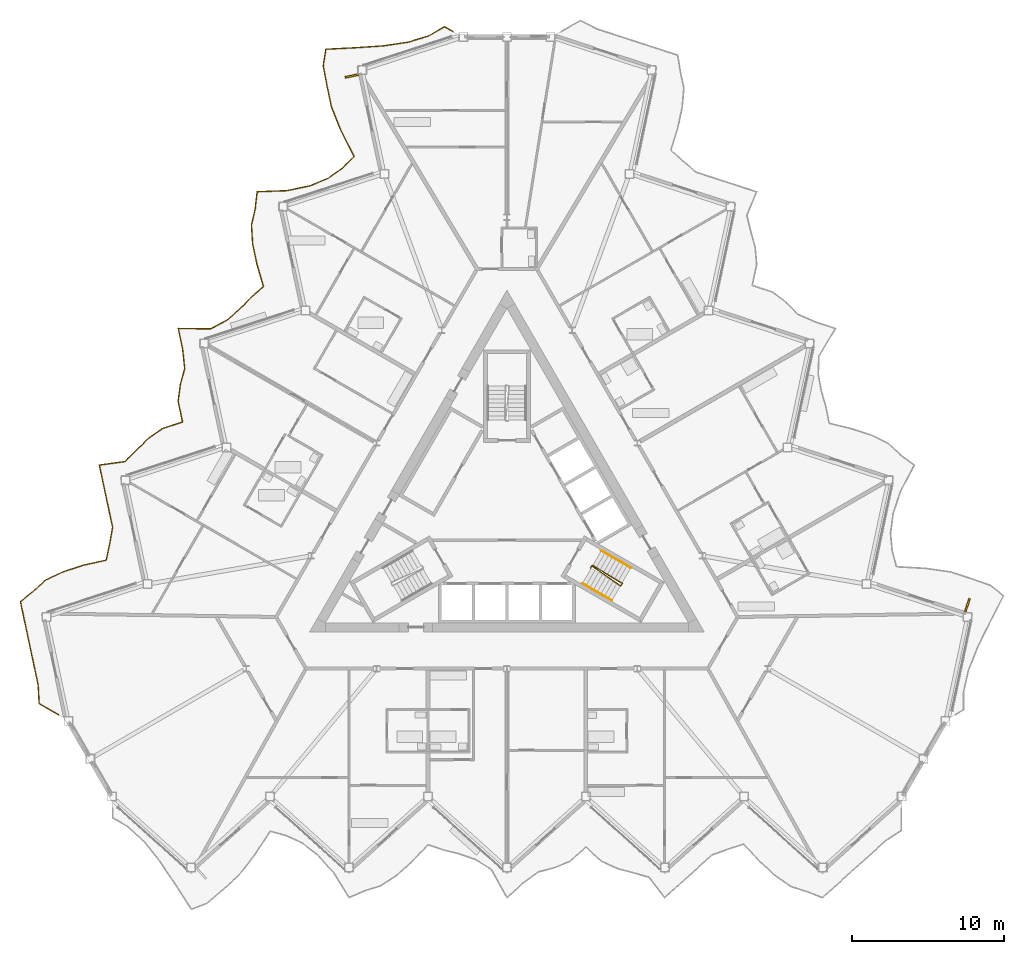
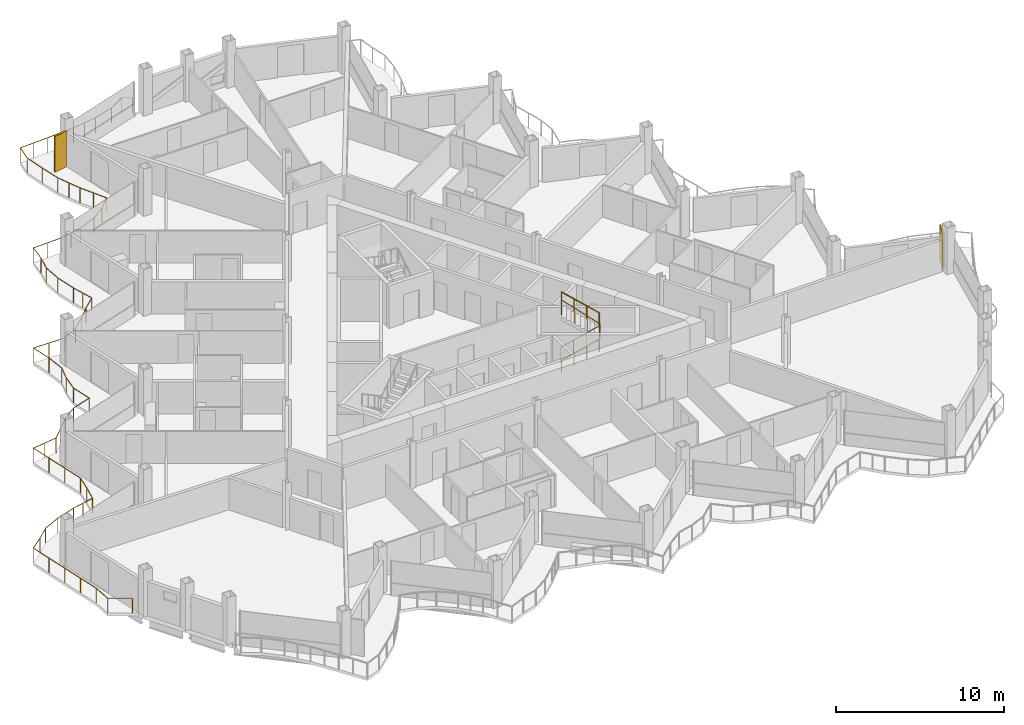
# One storey, part 23 of 26: 4 railings, 2 shading devices.
"""IFC4 building model written with IfcOpenShell, lengths in metres."""

from ifc_helpers import new_model, si_unit, direction, frame, origin, origin_2d, place, context, subcontext, project, spatial, rectangle, circle, extrude, material, layer, layer_set, type_object, element, save


model = new_model("IFC4")

# Units and contexts
model_context = context("Model", 3, precision=1e-05, world=origin(), true_north=direction((0.0, 1.0)))
body_context = subcontext(model_context, "Body", "Model", "MODEL_VIEW")
ifc_project = project(units=[si_unit("LENGTHUNIT", "METRE"), si_unit("AREAUNIT", "SQUARE_METRE"), si_unit("VOLUMEUNIT", "CUBIC_METRE"), si_unit("PLANEANGLEUNIT", "RADIAN"), si_unit("MASSUNIT", "GRAM", prefix="KILO")], contexts=[model_context])

# Site, building, storey
site_placement = place(None, origin())
site = spatial("IfcSite", under=ifc_project, at=site_placement, CompositionType="ELEMENT")
building_placement = place(site_placement, origin())
building = spatial("IfcBuilding", under=site, at=building_placement, Name="Cormorant Prow Tower", CompositionType="ELEMENT")
storey_placement = place(building_placement, frame((0.0, 0.0, 325.60009765625)))
storey = spatial("IfcBuildingStorey", under=building, at=storey_placement, Name="L72", CompositionType="ELEMENT", Elevation=325.60009765625)

# Railings
ifc_material_1 = material(Name="Aluminium 6063-T6", Category="aluminium")
railing_type_1 = type_object("IfcRailingType", Name="Balcony guard 1100", PredefinedType="GUARDRAIL", material=ifc_material_1)
railing_1_placement = place(storey_placement, frame((-3.552734375, 32.042724609375, 0.0)))
element("IfcRailing", 1, at=railing_1_placement, inside=storey, type_object=railing_type_1, Name="Balcony guard WNW", PredefinedType="GUARDRAIL", context=body_context, shape_type="SweptSolid", body=[
    extrude(circle(Radius=0.02392578125, at=origin_2d()), frame((0.0, 0.0, 1.076171875), z_axis=(-0.865942655036, 0.500143297656, 0.0), x_axis=(-0.500143297656, -0.865942655036, 0.0)), (0.0, 0.0, 1.0), 0.635986328125),
    extrude(circle(Radius=0.02392578125, at=origin_2d()), frame((-0.55078125, 0.318115234375, 1.076171875), z_axis=(-0.867592362836, -0.497276072166, 0.0), x_axis=(0.497276072166, -0.867592362836, 0.0)), (0.0, 0.0, 1.0), 1.201904296875),
    extrude(circle(Radius=0.02392578125, at=origin_2d()), frame((-1.593505859375, -0.279541015625, 1.076171875), z_axis=(-0.955146594273, -0.296133387932, 0.0), x_axis=(0.296133387932, -0.955146594273, 0.0)), (0.0, 0.0, 1.0), 1.41552734375),
    extrude(circle(Radius=0.02392578125, at=origin_2d()), frame((-2.945556640625, -0.69873046875, 1.076171875), z_axis=(-0.989266853601, -0.146120129918, 0.0), x_axis=(0.146120129918, -0.989266853601, 0.0)), (0.0, 0.0, 1.0), 1.672607421875),
    extrude(circle(Radius=0.02392578125, at=origin_2d()), frame((-4.60009765625, -0.943115234375, 1.076171875), z_axis=(-0.997771824229, -0.066718713827, 0.0), x_axis=(0.066718713827, -0.997771824229, 0.0)), (0.0, 0.0, 1.0), 1.8662109375),
    extrude(circle(Radius=0.02392578125, at=origin_2d()), frame((-6.462158203125, -1.067626953125, 1.076171875), z_axis=(-0.998756785934, -0.049848596285, 0.0), x_axis=(0.049848596285, -0.998756785934, 0.0)), (0.0, 0.0, 1.0), 1.9150390625),
    extrude(circle(Radius=0.02392578125, at=origin_2d()), frame((-8.374755859375, -1.1630859375, 1.076171875), z_axis=(-0.154330068831, -0.988019346903, 0.0), x_axis=(0.988019346903, -0.154330068831, 0.0)), (0.0, 0.0, 1.0), 1.11376953125),
    extrude(circle(Radius=0.02392578125, at=origin_2d()), frame((-8.546630859375, -2.263427734375, 1.076171875), z_axis=(0.185482522834, -0.982647563332, 0.0), x_axis=(0.982647563332, 0.185482522834, 0.0)), (0.0, 0.0, 1.0), 1.3701171875),
    extrude(circle(Radius=0.02392578125, at=origin_2d()), frame((-8.29248046875, -3.60986328125, 1.076171875), z_axis=(0.207954815096, -0.978138433392, 0.0), x_axis=(0.978138433392, 0.207954815096, 0.0)), (0.0, 0.0, 1.0), 1.398193359375),
    extrude(circle(Radius=0.02392578125, at=origin_2d()), frame((-8.001708984375, -4.9775390625, 1.076171875), z_axis=(0.372940159502, -0.927855396832, 0.0), x_axis=(0.927855396832, 0.372940159502, 0.0)), (0.0, 0.0, 1.0), 1.683837890625),
    extrude(circle(Radius=0.02392578125, at=origin_2d()), frame((-7.373779296875, -6.539794921875, 1.076171875), z_axis=(0.450609247679, -0.892721292401, 0.0), x_axis=(0.892721292401, 0.450609247679, 0.0)), (0.0, 0.0, 1.0), 1.896240234375),
    extrude(circle(Radius=0.02392578125, at=origin_2d()), frame((-6.519287109375, -8.232666015625, 1.076171875), z_axis=(-0.709370954511, -0.704835334597, 0.0), x_axis=(0.704835334597, -0.709370954511, 0.0)), (0.0, 0.0, 1.0), 1.07666015625),
    extrude(circle(Radius=0.02392578125, at=origin_2d()), frame((-7.282958984375, -8.991455078125, 1.076171875), z_axis=(-0.812908325419, -0.582391667579, 0.0), x_axis=(0.582391667579, -0.812908325419, 0.0)), (0.0, 0.0, 1.0), 1.140625),
    extrude(circle(Radius=0.02392578125, at=origin_2d()), frame((-8.210205078125, -9.65576171875, 1.076171875), z_axis=(-0.923841835791, -0.382774427624, 0.0), x_axis=(0.382774427624, -0.923841835791, 0.0)), (0.0, 0.0, 1.0), 1.309326171875),
    extrude(circle(Radius=0.02392578125, at=origin_2d()), frame((-9.419921875, -10.156982421875, 1.076171875), z_axis=(-0.978977815061, -0.20396675616, 0.0), x_axis=(0.20396675616, -0.978977815061, 0.0)), (0.0, 0.0, 1.0), 1.5595703125),
    extrude(circle(Radius=0.02392578125, at=origin_2d()), frame((-10.94677734375, -10.47509765625, 1.076171875), z_axis=(-0.999311062654, -0.037113340704, 0.0), x_axis=(0.037113340704, -0.999311062654, 0.0)), (0.0, 0.0, 1.0), 1.953857421875),
    extrude(circle(Radius=0.02392578125, at=origin_2d()), frame((-12.899169921875, -10.547607421875, 1.076171875), z_axis=(-0.110644159424, -0.993860085719, 0.0), x_axis=(0.993860085719, -0.110644159424, 0.0)), (0.0, 0.0, 1.0), 1.13427734375),
    extrude(circle(Radius=0.02392578125, at=origin_2d()), frame((-13.024658203125, -11.6748046875, 1.076171875), z_axis=(-0.225893573329, -0.974151986873, 0.0), x_axis=(0.974151986873, -0.225893573329, 0.0)), (0.0, 0.0, 1.0), 1.086181640625),
    extrude(circle(Radius=0.02392578125, at=origin_2d()), frame((-13.27001953125, -12.73291015625, 1.076171875), z_axis=(0.059262671878, -0.998242423323, 0.0), x_axis=(0.998242423323, 0.059262671878, 0.0)), (0.0, 0.0, 1.0), 1.244140625),
    extrude(circle(Radius=0.02392578125, at=origin_2d()), frame((-13.1962890625, -13.974853515625, 1.076171875), z_axis=(0.20778775162, -0.978173936617, 0.0), x_axis=(0.978173936617, 0.20778775162, 0.0)), (0.0, 0.0, 1.0), 1.398193359375),
    extrude(circle(Radius=0.02392578125, at=origin_2d()), frame((-12.90576171875, -15.342529296875, 1.076171875), z_axis=(0.281102933169, -0.959677623457, 0.0), x_axis=(0.959677623457, 0.281102933169, 0.0)), (0.0, 0.0, 1.0), 1.504150390625),
    extrude(circle(Radius=0.02392578125, at=origin_2d()), frame((-12.48291015625, -16.7861328125, 1.076171875), z_axis=(-0.750032788216, -0.661400647566, 0.0), x_axis=(0.661400647566, -0.750032788216, 0.0)), (0.0, 0.0, 1.0), 1.09619140625),
    extrude(circle(Radius=0.02392578125, at=origin_2d()), frame((-13.30517578125, -17.51123046875, 1.076171875), z_axis=(-0.693869586503, -0.72010068527, 0.0), x_axis=(0.72010068527, -0.693869586503, 0.0)), (0.0, 0.0, 1.0), 1.0703125),
    extrude(circle(Radius=0.02392578125, at=origin_2d()), frame((-14.0478515625, -18.281982421875, 1.076171875), z_axis=(-0.759115778232, -0.650955632312, 0.0), x_axis=(0.650955632312, -0.759115778232, 0.0)), (0.0, 0.0, 1.0), 1.1015625),
    extrude(circle(Radius=0.02392578125, at=origin_2d()), frame((-14.884033203125, -18.9990234375, 1.076171875), z_axis=(-0.880156171163, -0.474684225948, 0.0), x_axis=(0.474684225948, -0.880156171163, 0.0)), (0.0, 0.0, 1.0), 1.220458984375),
    extrude(circle(Radius=0.02392578125, at=origin_2d()), frame((-15.958251953125, -19.578369140625, 1.076171875), z_axis=(-0.999877393438, 0.015658802344, 0.0), x_axis=(-0.015658802344, -0.999877393438, 0.0)), (0.0, 0.0, 1.0), 2.135986328125),
    extrude(circle(Radius=0.02392578125, at=origin_2d()), frame((-18.093994140625, -19.544921875, 1.076171875), z_axis=(0.207990337228, -0.978130880619, 0.0), x_axis=(0.978130880619, 0.207990337228, 0.0)), (0.0, 0.0, 1.0), 1.39794921875),
    extrude(circle(Radius=0.02392578125, at=origin_2d()), frame((-17.80322265625, -20.912353515625, 1.076171875), z_axis=(0.107350103954, -0.994221280793, 0.0), x_axis=(0.994221280793, 0.107350103954, 0.0)), (0.0, 0.0, 1.0), 1.287109375),
    extrude(circle(Radius=0.02392578125, at=origin_2d()), frame((-17.6650390625, -22.192138671875, 1.076171875), z_axis=(-0.267620389607, -0.963524429927, 0.0), x_axis=(0.963524429927, -0.267620389607, 0.0)), (0.0, 0.0, 1.0), 1.07275390625),
    extrude(circle(Radius=0.02392578125, at=origin_2d()), frame((-17.9521484375, -23.225830078125, 1.076171875), z_axis=(-0.132078343747, -0.991239280453, 0.0), x_axis=(0.991239280453, -0.132078343747, 0.0)), (0.0, 0.0, 1.0), 1.123779296875),
    extrude(circle(Radius=0.02392578125, at=origin_2d()), frame((-18.1005859375, -24.33984375, 1.076171875), z_axis=(0.207954815096, -0.978138433392, 0.0), x_axis=(0.978138433392, 0.207954815096, 0.0)), (0.0, 0.0, 1.0), 1.398193359375),
    extrude(circle(Radius=0.02392578125, at=origin_2d()), frame((-17.809814453125, -25.70751953125, 1.076171875), z_axis=(-0.95108282544, -0.308936011422, 0.0), x_axis=(0.308936011422, -0.95108282544, 0.0)), (0.0, 0.0, 1.0), 1.39794921875),
    extrude(circle(Radius=0.02392578125, at=origin_2d()), frame((-19.139404296875, -26.139404296875, 1.076171875), z_axis=(-0.817192442339, -0.576364912347, 0.0), x_axis=(0.576364912347, -0.817192442339, 0.0)), (0.0, 0.0, 1.0), 1.14453125),
    extrude(circle(Radius=0.02392578125, at=origin_2d()), frame((-20.07470703125, -26.799072265625, 1.076171875), z_axis=(-0.704602966068, -0.7096017617, 0.0), x_axis=(0.7096017617, -0.704602966068, 0.0)), (0.0, 0.0, 1.0), 1.074462890625),
    extrude(circle(Radius=0.02392578125, at=origin_2d()), frame((-20.831787109375, -27.5615234375, 1.076171875), z_axis=(-0.716762582334, -0.697317288302, 0.0), x_axis=(0.697317288302, -0.716762582334, 0.0)), (0.0, 0.0, 1.0), 1.079833984375),
    extrude(circle(Radius=0.02392578125, at=origin_2d()), frame((-21.605712890625, -28.314453125, 1.076171875), z_axis=(-0.990944412172, -0.134272752208, 0.0), x_axis=(0.134272752208, -0.990944412172, 0.0)), (0.0, 0.0, 1.0), 1.6982421875),
    extrude(circle(Radius=0.02392578125, at=origin_2d()), frame((-23.28857421875, -28.54248046875, 1.076171875), z_axis=(0.207823247792, -0.9781663957, 0.0), x_axis=(0.9781663957, 0.207823247792, 0.0)), (0.0, 0.0, 1.0), 1.39794921875),
    extrude(circle(Radius=0.02392578125, at=origin_2d()), frame((-22.998046875, -29.909912109375, 1.076171875), z_axis=(0.207990337228, -0.978130880619, 0.0), x_axis=(0.978130880619, 0.207990337228, 0.0)), (0.0, 0.0, 1.0), 1.39794921875),
    extrude(circle(Radius=0.02392578125, at=origin_2d()), frame((-22.707275390625, -31.27734375, 1.076171875), z_axis=(0.20778775162, -0.978173936617, 0.0), x_axis=(0.978173936617, 0.20778775162, 0.0)), (0.0, 0.0, 1.0), 1.398193359375),
    extrude(circle(Radius=0.02392578125, at=origin_2d()), frame((-22.416748046875, -32.64501953125, 1.076171875), z_axis=(-0.171695073969, -0.985150141641, 0.0), x_axis=(0.985150141641, -0.171695073969, 0.0)), (0.0, 0.0, 1.0), 1.106201171875),
    extrude(circle(Radius=0.02392578125, at=origin_2d()), frame((-22.606689453125, -33.73486328125, 1.076171875), z_axis=(-0.210720517244, -0.977546348575, 0.0), x_axis=(0.977546348575, -0.210720517244, 0.0)), (0.0, 0.0, 1.0), 1.09130859375),
    extrude(circle(Radius=0.02392578125, at=origin_2d()), frame((-22.836669921875, -34.8017578125, 1.076171875), z_axis=(-0.975845165499, -0.218463298913, 0.0), x_axis=(0.218463298913, -0.975845165499, 0.0)), (0.0, 0.0, 1.0), 1.534423828125),
    extrude(circle(Radius=0.02392578125, at=origin_2d()), frame((-24.333984375, -35.136962890625, 1.076171875), z_axis=(-0.95108282544, -0.308936011422, 0.0), x_axis=(0.308936011422, -0.95108282544, 0.0)), (0.0, 0.0, 1.0), 1.39794921875),
    extrude(circle(Radius=0.02392578125, at=origin_2d()), frame((-25.66357421875, -35.56884765625, 1.076171875), z_axis=(-0.906546522167, -0.422105914608, 0.0), x_axis=(0.422105914608, -0.906546522167, 0.0)), (0.0, 0.0, 1.0), 1.26904296875),
    extrude(circle(Radius=0.02392578125, at=origin_2d()), frame((-26.81396484375, -36.1044921875, 1.076171875), z_axis=(-0.738732761522, -0.673998447368, 0.0), x_axis=(0.673998447368, -0.738732761522, 0.0)), (0.0, 0.0, 1.0), 1.08984375),
    extrude(circle(Radius=0.02392578125, at=origin_2d()), frame((-27.619140625, -36.839111328125, 1.076171875), z_axis=(-0.776677419961, -0.629898551612, 0.0), x_axis=(0.629898551612, -0.776677419961, 0.0)), (0.0, 0.0, 1.0), 1.11279296875),
    extrude(circle(Radius=0.02392578125, at=origin_2d()), frame((-28.4833984375, -37.5400390625, 1.076171875), z_axis=(0.207823247792, -0.9781663957, 0.0), x_axis=(0.9781663957, 0.207823247792, 0.0)), (0.0, 0.0, 1.0), 1.39794921875),
    extrude(circle(Radius=0.02392578125, at=origin_2d()), frame((-28.19287109375, -38.907470703125, 1.076171875), z_axis=(0.207990337228, -0.978130880619, 0.0), x_axis=(0.978130880619, 0.207990337228, 0.0)), (0.0, 0.0, 1.0), 1.39794921875),
    extrude(circle(Radius=0.02392578125, at=origin_2d()), frame((-27.902099609375, -40.27490234375, 1.076171875), z_axis=(0.207990337228, -0.978130880619, 0.0), x_axis=(0.978130880619, 0.207990337228, 0.0)), (0.0, 0.0, 1.0), 1.39794921875),
    extrude(circle(Radius=0.02392578125, at=origin_2d()), frame((-27.611328125, -41.642333984375, 1.076171875), z_axis=(0.207954815096, -0.978138433392, 0.0), x_axis=(0.978138433392, 0.207954815096, 0.0)), (0.0, 0.0, 1.0), 1.398193359375),
    extrude(circle(Radius=0.02392578125, at=origin_2d()), frame((-27.320556640625, -43.010009765625, 1.076171875), z_axis=(0.058307709242, -0.99829865824, 0.0), x_axis=(0.99829865824, 0.058307709242, 0.0)), (0.0, 0.0, 1.0), 1.24365234375),
    extrude(circle(Radius=0.02392578125, at=origin_2d()), frame((-27.248046875, -44.25146484375, 1.076171875), z_axis=(0.866050237424, -0.499956984408, 0.0), x_axis=(0.499956984408, 0.866050237424, 0.0)), (0.0, 0.0, 1.0), 1.471923828125),
    extrude(circle(Radius=0.02099609375, at=origin_2d()), origin(), (0.0, 0.0, 1.0), 1.052001953125),
    extrude(circle(Radius=0.02099609375, at=origin_2d()), frame((-0.55078125, 0.318115234375, 0.0)), (0.0, 0.0, 1.0), 1.052001953125),
    extrude(circle(Radius=0.02099609375, at=origin_2d()), frame((-1.593505859375, -0.279541015625, 0.0)), (0.0, 0.0, 1.0), 1.052001953125),
    extrude(circle(Radius=0.02099609375, at=origin_2d()), frame((-2.945556640625, -0.69873046875, 0.0)), (0.0, 0.0, 1.0), 1.052001953125),
    extrude(circle(Radius=0.02099609375, at=origin_2d()), frame((-3.77294921875, -0.82080078125, 0.0)), (0.0, 0.0, 1.0), 1.052001953125),
    extrude(circle(Radius=0.02099609375, at=origin_2d()), frame((-4.60009765625, -0.943115234375, 0.0)), (0.0, 0.0, 1.0), 1.052001953125),
    extrude(circle(Radius=0.02099609375, at=origin_2d()), frame((-5.53125, -1.00537109375, 0.0)), (0.0, 0.0, 1.0), 1.052001953125),
    extrude(circle(Radius=0.02099609375, at=origin_2d()), frame((-6.462158203125, -1.067626953125, 0.0)), (0.0, 0.0, 1.0), 1.052001953125),
    extrude(circle(Radius=0.02099609375, at=origin_2d()), frame((-7.41845703125, -1.115234375, 0.0)), (0.0, 0.0, 1.0), 1.052001953125),
    extrude(circle(Radius=0.02099609375, at=origin_2d()), frame((-8.374755859375, -1.1630859375, 0.0)), (0.0, 0.0, 1.0), 1.052001953125),
    extrude(circle(Radius=0.02099609375, at=origin_2d()), frame((-8.546630859375, -2.263427734375, 0.0)), (0.0, 0.0, 1.0), 1.052001953125),
    extrude(circle(Radius=0.02099609375, at=origin_2d()), frame((-8.29248046875, -3.60986328125, 0.0)), (0.0, 0.0, 1.0), 1.052001953125),
    extrude(circle(Radius=0.02099609375, at=origin_2d()), frame((-8.001708984375, -4.9775390625, 0.0)), (0.0, 0.0, 1.0), 1.052001953125),
    extrude(circle(Radius=0.02099609375, at=origin_2d()), frame((-7.687744140625, -5.7587890625, 0.0)), (0.0, 0.0, 1.0), 1.052001953125),
    extrude(circle(Radius=0.02099609375, at=origin_2d()), frame((-7.373779296875, -6.539794921875, 0.0)), (0.0, 0.0, 1.0), 1.052001953125),
    extrude(circle(Radius=0.02099609375, at=origin_2d()), frame((-6.946533203125, -7.38623046875, 0.0)), (0.0, 0.0, 1.0), 1.052001953125),
    extrude(circle(Radius=0.02099609375, at=origin_2d()), frame((-6.519287109375, -8.232666015625, 0.0)), (0.0, 0.0, 1.0), 1.052001953125),
    extrude(circle(Radius=0.02099609375, at=origin_2d()), frame((-7.282958984375, -8.991455078125, 0.0)), (0.0, 0.0, 1.0), 1.052001953125),
    extrude(circle(Radius=0.02099609375, at=origin_2d()), frame((-8.210205078125, -9.65576171875, 0.0)), (0.0, 0.0, 1.0), 1.052001953125),
    extrude(circle(Radius=0.02099609375, at=origin_2d()), frame((-9.419921875, -10.156982421875, 0.0)), (0.0, 0.0, 1.0), 1.052001953125),
    extrude(circle(Radius=0.02099609375, at=origin_2d()), frame((-10.183349609375, -10.31591796875, 0.0)), (0.0, 0.0, 1.0), 1.052001953125),
    extrude(circle(Radius=0.02099609375, at=origin_2d()), frame((-10.94677734375, -10.47509765625, 0.0)), (0.0, 0.0, 1.0), 1.052001953125),
    extrude(circle(Radius=0.02099609375, at=origin_2d()), frame((-11.9228515625, -10.51123046875, 0.0)), (0.0, 0.0, 1.0), 1.052001953125),
    extrude(circle(Radius=0.02099609375, at=origin_2d()), frame((-12.899169921875, -10.547607421875, 0.0)), (0.0, 0.0, 1.0), 1.052001953125),
    extrude(circle(Radius=0.02099609375, at=origin_2d()), frame((-13.024658203125, -11.6748046875, 0.0)), (0.0, 0.0, 1.0), 1.052001953125),
    extrude(circle(Radius=0.02099609375, at=origin_2d()), frame((-13.27001953125, -12.73291015625, 0.0)), (0.0, 0.0, 1.0), 1.052001953125),
    extrude(circle(Radius=0.02099609375, at=origin_2d()), frame((-13.1962890625, -13.974853515625, 0.0)), (0.0, 0.0, 1.0), 1.052001953125),
    extrude(circle(Radius=0.02099609375, at=origin_2d()), frame((-12.90576171875, -15.342529296875, 0.0)), (0.0, 0.0, 1.0), 1.052001953125),
    extrude(circle(Radius=0.02099609375, at=origin_2d()), frame((-12.6943359375, -16.064453125, 0.0)), (0.0, 0.0, 1.0), 1.052001953125),
    extrude(circle(Radius=0.02099609375, at=origin_2d()), frame((-12.48291015625, -16.7861328125, 0.0)), (0.0, 0.0, 1.0), 1.052001953125),
    extrude(circle(Radius=0.02099609375, at=origin_2d()), frame((-13.30517578125, -17.51123046875, 0.0)), (0.0, 0.0, 1.0), 1.052001953125),
    extrude(circle(Radius=0.02099609375, at=origin_2d()), frame((-14.0478515625, -18.281982421875, 0.0)), (0.0, 0.0, 1.0), 1.052001953125),
    extrude(circle(Radius=0.02099609375, at=origin_2d()), frame((-14.884033203125, -18.9990234375, 0.0)), (0.0, 0.0, 1.0), 1.052001953125),
    extrude(circle(Radius=0.02099609375, at=origin_2d()), frame((-15.958251953125, -19.578369140625, 0.0)), (0.0, 0.0, 1.0), 1.052001953125),
    extrude(circle(Radius=0.02099609375, at=origin_2d()), frame((-17.026123046875, -19.5615234375, 0.0)), (0.0, 0.0, 1.0), 1.052001953125),
    extrude(circle(Radius=0.02099609375, at=origin_2d()), frame((-18.093994140625, -19.544921875, 0.0)), (0.0, 0.0, 1.0), 1.052001953125),
    extrude(circle(Radius=0.02099609375, at=origin_2d()), frame((-17.80322265625, -20.912353515625, 0.0)), (0.0, 0.0, 1.0), 1.052001953125),
    extrude(circle(Radius=0.02099609375, at=origin_2d()), frame((-17.6650390625, -22.192138671875, 0.0)), (0.0, 0.0, 1.0), 1.052001953125),
    extrude(circle(Radius=0.02099609375, at=origin_2d()), frame((-17.9521484375, -23.225830078125, 0.0)), (0.0, 0.0, 1.0), 1.052001953125),
    extrude(circle(Radius=0.02099609375, at=origin_2d()), frame((-18.1005859375, -24.33984375, 0.0)), (0.0, 0.0, 1.0), 1.052001953125),
    extrude(circle(Radius=0.02099609375, at=origin_2d()), frame((-17.809814453125, -25.70751953125, 0.0)), (0.0, 0.0, 1.0), 1.052001953125),
    extrude(circle(Radius=0.02099609375, at=origin_2d()), frame((-19.139404296875, -26.139404296875, 0.0)), (0.0, 0.0, 1.0), 1.052001953125),
    extrude(circle(Radius=0.02099609375, at=origin_2d()), frame((-20.07470703125, -26.799072265625, 0.0)), (0.0, 0.0, 1.0), 1.052001953125),
    extrude(circle(Radius=0.02099609375, at=origin_2d()), frame((-20.831787109375, -27.5615234375, 0.0)), (0.0, 0.0, 1.0), 1.052001953125),
    extrude(circle(Radius=0.02099609375, at=origin_2d()), frame((-21.605712890625, -28.314453125, 0.0)), (0.0, 0.0, 1.0), 1.052001953125),
    extrude(circle(Radius=0.02099609375, at=origin_2d()), frame((-22.447265625, -28.428466796875, 0.0)), (0.0, 0.0, 1.0), 1.052001953125),
    extrude(circle(Radius=0.02099609375, at=origin_2d()), frame((-23.28857421875, -28.54248046875, 0.0)), (0.0, 0.0, 1.0), 1.052001953125),
    extrude(circle(Radius=0.02099609375, at=origin_2d()), frame((-22.998046875, -29.909912109375, 0.0)), (0.0, 0.0, 1.0), 1.052001953125),
    extrude(circle(Radius=0.02099609375, at=origin_2d()), frame((-22.707275390625, -31.27734375, 0.0)), (0.0, 0.0, 1.0), 1.052001953125),
    extrude(circle(Radius=0.02099609375, at=origin_2d()), frame((-22.416748046875, -32.64501953125, 0.0)), (0.0, 0.0, 1.0), 1.052001953125),
    extrude(circle(Radius=0.02099609375, at=origin_2d()), frame((-22.606689453125, -33.73486328125, 0.0)), (0.0, 0.0, 1.0), 1.052001953125),
    extrude(circle(Radius=0.02099609375, at=origin_2d()), frame((-22.836669921875, -34.8017578125, 0.0)), (0.0, 0.0, 1.0), 1.052001953125),
    extrude(circle(Radius=0.02099609375, at=origin_2d()), frame((-23.58544921875, -34.96923828125, 0.0)), (0.0, 0.0, 1.0), 1.052001953125),
    extrude(circle(Radius=0.02099609375, at=origin_2d()), frame((-24.333984375, -35.136962890625, 0.0)), (0.0, 0.0, 1.0), 1.052001953125),
    extrude(circle(Radius=0.02099609375, at=origin_2d()), frame((-25.66357421875, -35.56884765625, 0.0)), (0.0, 0.0, 1.0), 1.052001953125),
    extrude(circle(Radius=0.02099609375, at=origin_2d()), frame((-26.81396484375, -36.1044921875, 0.0)), (0.0, 0.0, 1.0), 1.052001953125),
    extrude(circle(Radius=0.02099609375, at=origin_2d()), frame((-27.619140625, -36.839111328125, 0.0)), (0.0, 0.0, 1.0), 1.052001953125),
    extrude(circle(Radius=0.02099609375, at=origin_2d()), frame((-28.4833984375, -37.5400390625, 0.0)), (0.0, 0.0, 1.0), 1.052001953125),
    extrude(circle(Radius=0.02099609375, at=origin_2d()), frame((-28.19287109375, -38.907470703125, 0.0)), (0.0, 0.0, 1.0), 1.052001953125),
    extrude(circle(Radius=0.02099609375, at=origin_2d()), frame((-27.902099609375, -40.27490234375, 0.0)), (0.0, 0.0, 1.0), 1.052001953125),
    extrude(circle(Radius=0.02099609375, at=origin_2d()), frame((-27.611328125, -41.642333984375, 0.0)), (0.0, 0.0, 1.0), 1.052001953125),
    extrude(circle(Radius=0.02099609375, at=origin_2d()), frame((-27.320556640625, -43.010009765625, 0.0)), (0.0, 0.0, 1.0), 1.052001953125),
    extrude(circle(Radius=0.02099609375, at=origin_2d()), frame((-27.248046875, -44.25146484375, 0.0)), (0.0, 0.0, 1.0), 1.052001953125),
    extrude(circle(Radius=0.02099609375, at=origin_2d()), frame((-25.973388671875, -44.9873046875, 0.0)), (0.0, 0.0, 1.0), 1.052001953125),
])
ifc_material_2 = material(Name="Stainless steel", Category="steel")
railing_type_2 = type_object("IfcRailingType", Name="Stair guard 1100", PredefinedType="GUARDRAIL", material=ifc_material_2)
railing_2_placement = place(storey_placement, frame((5.510009765625, -3.267822265625, 0.0)))
element("IfcRailing", 2, at=railing_2_placement, inside=storey, type_object=railing_type_2, Name="L72 ST2 stair guard 1", PredefinedType="GUARDRAIL", context=body_context, shape_type="SweptSolid", body=[
    extrude(circle(Radius=0.02392578125, at=origin_2d()), frame((0.0, 0.0, 1.076171875), z_axis=(0.501036270542, 0.865426285481, 0.0), x_axis=(-0.865426285481, 0.501036270542, 0.0)), (0.0, 0.0, 1.0), 0.150146484375),
    extrude(circle(Radius=0.02392578125, at=origin_2d()), frame((0.0751953125, 0.1298828125, 1.076171875), z_axis=(0.658670593711, -0.461060875852, 0.594622500196), x_axis=(0.573455215813, 0.819236910458, 0.0)), (0.0, 0.0, 1.0), 2.85888671875),
    extrude(circle(Radius=0.02392578125, at=origin_2d()), frame((1.958251953125, -1.188232421875, 2.77587890625), z_axis=(0.695164929852, 0.718850276695, 0.0), x_axis=(-0.718850276695, 0.695164929852, 0.0)), (0.0, 0.0, 1.0), 0.2060546875),
    extrude(circle(Radius=0.02392578125, at=origin_2d()), frame((2.1015625, -1.0400390625, 2.77587890625), z_axis=(-0.686515364547, 0.416565300991, 0.595961411712), x_axis=(-0.518752825935, -0.854924268918, 0.0)), (0.0, 0.0, 1.0), 2.8525390625),
    extrude(circle(Radius=0.02099609375, at=origin_2d()), origin(), (0.0, 0.0, 1.0), 1.052001953125),
    extrude(circle(Radius=0.02099609375, at=origin_2d()), frame((0.0751953125, 0.1298828125, 0.0)), (0.0, 0.0, 1.0), 1.052001953125),
    extrude(circle(Radius=0.02099609375, at=origin_2d()), frame((0.702880859375, -0.3095703125, 0.566650390625)), (0.0, 0.0, 1.0), 1.052001953125),
    extrude(circle(Radius=0.02099609375, at=origin_2d()), frame((1.33056640625, -0.748779296875, 1.13330078125)), (0.0, 0.0, 1.0), 1.052001953125),
    extrude(circle(Radius=0.02099609375, at=origin_2d()), frame((1.958251953125, -1.188232421875, 1.699951171875)), (0.0, 0.0, 1.0), 1.052001953125),
    extrude(circle(Radius=0.02099609375, at=origin_2d()), frame((2.1015625, -1.0400390625, 1.699951171875)), (0.0, 0.0, 1.0), 1.052001953125),
    extrude(circle(Radius=0.02099609375, at=origin_2d()), frame((1.44873046875, -0.64404296875, 2.2666015625)), (0.0, 0.0, 1.0), 1.052001953125),
    extrude(circle(Radius=0.02099609375, at=origin_2d()), frame((0.796142578125, -0.247802734375, 2.833251953125)), (0.0, 0.0, 1.0), 1.052001953125),
    extrude(circle(Radius=0.02099609375, at=origin_2d()), frame((0.143310546875, 0.148193359375, 3.39990234375)), (0.0, 0.0, 1.0), 1.052001953125),
])
ifc_material_3 = material(Name="Stainless steel", Category="steel")
railing_type_3 = type_object("IfcRailingType", Name="Stair handrail 900", PredefinedType="HANDRAIL", material=ifc_material_3)
railing_3_placement = place(storey_placement, frame((4.968994140625, -4.30517578125, 0.188720703125)))
element("IfcRailing", 3, at=railing_3_placement, inside=storey, type_object=railing_type_3, Name="L72 ST2 stair handrail 1", PredefinedType="HANDRAIL", context=body_context, shape_type="SweptSolid", body=[
    extrude(circle(Radius=0.02392578125, at=origin_2d()), frame((0.0, 0.0, 0.8759765625), z_axis=(0.717869644322, -0.414548260308, 0.559296802813), x_axis=(0.500077830873, 0.865980463445, 0.0)), (0.0, 0.0, 1.0), 2.701904296875),
    extrude(circle(Radius=0.02099609375, at=origin_2d()), origin(), (0.0, 0.0, 1.0), 0.851806640625),
    extrude(circle(Radius=0.02099609375, at=origin_2d()), frame((0.646484375, -0.373291015625, 0.503662109375)), (0.0, 0.0, 1.0), 0.851806640625),
    extrude(circle(Radius=0.02099609375, at=origin_2d()), frame((1.293212890625, -0.746826171875, 1.007568359375)), (0.0, 0.0, 1.0), 0.851806640625),
    extrude(circle(Radius=0.02099609375, at=origin_2d()), frame((1.939697265625, -1.1201171875, 1.51123046875)), (0.0, 0.0, 1.0), 0.851806640625),
])
railing_4_placement = place(storey_placement, frame((8.15283203125, -3.2705078125, 1.888671875)))
element("IfcRailing", 4, at=railing_4_placement, inside=storey, type_object=railing_type_3, Name="L72 ST2 stair handrail 2", PredefinedType="HANDRAIL", context=body_context, shape_type="SweptSolid", body=[
    extrude(circle(Radius=0.02392578125, at=origin_2d()), frame((0.0, 0.0, 0.8759765625), z_axis=(-0.717940317343, 0.414446543626, 0.55928147047), x_axis=(-0.49994888933, -0.866054910533, 0.0)), (0.0, 0.0, 1.0), 2.7021484375),
    extrude(circle(Radius=0.02099609375, at=origin_2d()), origin(), (0.0, 0.0, 1.0), 0.851806640625),
    extrude(circle(Radius=0.02099609375, at=origin_2d()), frame((-0.646728515625, 0.373291015625, 0.503662109375)), (0.0, 0.0, 1.0), 0.851806640625),
    extrude(circle(Radius=0.02099609375, at=origin_2d()), frame((-1.293212890625, 0.74658203125, 1.007568359375)), (0.0, 0.0, 1.0), 0.851806640625),
    extrude(circle(Radius=0.02099609375, at=origin_2d()), frame((-1.93994140625, 1.119873046875, 1.51123046875)), (0.0, 0.0, 1.0), 0.851806640625),
])

# Shading devices
ifc_material_4 = material(Name="Terracotta", Category="masonry")
ifc_layer = layer(ifc_material_4, 0.1201171875)
ifc_layer_set = layer_set([ifc_layer], Name="Terracotta")
shading_device_type = type_object("IfcShadingDeviceType", Name="Terracotta baguette fin 120x900x2600", PredefinedType="USERDEFINED", material=ifc_layer_set)
for number, where, z_axis, x_axis, name in (
    (5, (30.31982421875, -5.716552734375, -0.000244140625), (0.0, 0.0, 1.0), (-0.951056507348, 0.309017021913, 0.0), "Baguette fin ENE01"),
    (6, (-10.209228515625, 29.115966796875, -0.000244140625), (0.0, 0.0, 1.0), (0.207911662, -0.978147606859, 0.0), "Baguette fin WNW01"),
):
    element("IfcShadingDevice", number, at=place(storey_placement, frame(where, z_axis=z_axis, x_axis=x_axis)), inside=storey, type_object=shading_device_type, Name=name, ObjectType="BAGUETTE", PredefinedType="USERDEFINED", context=body_context, shape_type="SweptSolid", body=[
        extrude(rectangle(XDim=0.1201171875, YDim=0.89990234375, at=origin_2d()), origin(), (0.0, 0.0, 1.0), 2.60009765625),
    ])

save(model, "model.ifc")
